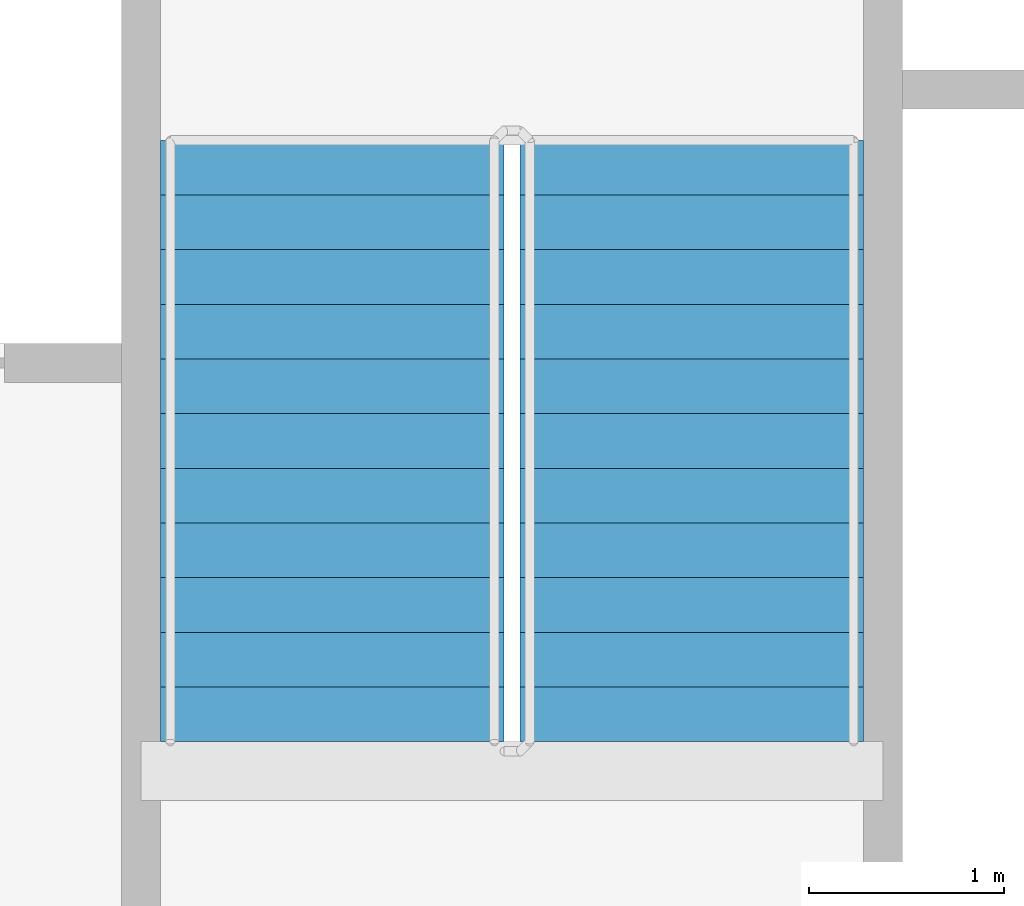
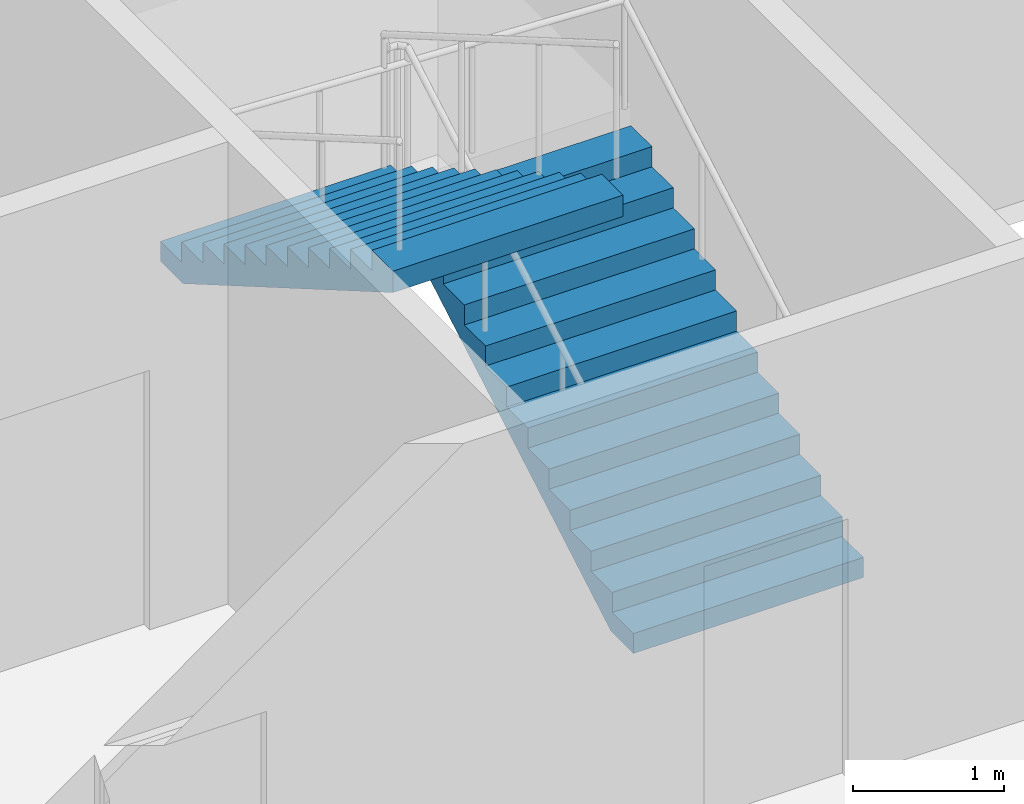
# One storey, part 15 of 20: 2 stair flights, 1 element without a shape of its own.
"""IFC4 building model written with IfcOpenShell, lengths in metres."""

import ifcopenshell
import ifcopenshell.guid

model = None  # the IFC model being written
_history = None  # IfcOwnerHistory: only IFC2X3 demands one
_inside = {}  # id of a spatial element -> (the spatial element, [elements in it])
_under = {}  # id of a project, library or spatial element -> (it, [spatial elements below it])
_declared = {}  # id of a project -> (the project, [libraries it declares])
_typed = {}  # id of a type object -> (the type object, [elements of that type])
_made_of = {}  # id of a material, layer set ... -> (it, [elements and type objects made of it])


def new_model(schema):
    """Start an empty IFC model of exactly this schema.

    Asked for "IFC4X3", IfcOpenShell would pick the latest addendum, in which some entities
    have other attributes; the version numbers below select the first issue.
    IFC2X3 requires an IfcOwnerHistory on every rooted entity: one is made here for all.
    """
    global model, _history
    if schema == "IFC4X3":
        model = ifcopenshell.file(schema_version=(4, 3, 0, 0))
    else:
        model = ifcopenshell.file(schema=schema)
    _inside.clear()
    _under.clear()
    _declared.clear()
    _typed.clear()
    _made_of.clear()
    _history = None
    if model.schema == "IFC2X3":
        org = make("IfcOrganization", Name="unknown")
        user = make(
            "IfcPersonAndOrganization",
            ThePerson=make("IfcPerson", FamilyName="unknown"),
            TheOrganization=org,
        )
        app = make(
            "IfcApplication",
            ApplicationDeveloper=org,
            Version="unknown",
            ApplicationFullName="unknown",
            ApplicationIdentifier="unknown",
        )
        _history = make(
            "IfcOwnerHistory",
            OwningUser=user,
            OwningApplication=app,
            ChangeAction="ADDED",
            CreationDate=0,
        )
    return model


def make(cls, **values):
    """One entity of the class cls with the attributes given. An attribute that is None is left unset."""
    return model.create_entity(
        cls, **{name: value for name, value in values.items() if value is not None}
    )


def rooted(cls, **values):
    """An entity with a GlobalId (a new one), such as an element, a storey or a relation."""
    return make(cls, GlobalId=ifcopenshell.guid.new(), OwnerHistory=_history, **values)


def si_unit(unit_type, name, prefix=None):
    """IfcSIUnit, for example si_unit("LENGTHUNIT", "METRE", prefix="MILLI")."""
    return make("IfcSIUnit", UnitType=unit_type, Prefix=prefix, Name=name)


def assignment(units):
    """IfcUnitAssignment: the units of a project."""
    return None if units is None else make("IfcUnitAssignment", Units=units)


def point(xyz):
    """IfcCartesianPoint."""
    return None if xyz is None else make("IfcCartesianPoint", Coordinates=xyz)


def direction(xyz):
    """IfcDirection."""
    return None if xyz is None else make("IfcDirection", DirectionRatios=xyz)


def frame(location, z_axis=None, x_axis=None):
    """IfcAxis2Placement3D, a coordinate frame: its origin and axes. An axis left out is left unset."""
    return make(
        "IfcAxis2Placement3D",
        Location=point(location),
        Axis=direction(z_axis),
        RefDirection=direction(x_axis),
    )


def origin():
    """The frame at (0, 0, 0) with its axes left unset."""
    return frame((0.0, 0.0, 0.0))


def place(relative_to, where):
    """IfcLocalPlacement: puts the frame where relative to a parent placement (None: the world)."""
    return make(
        "IfcLocalPlacement", PlacementRelTo=relative_to, RelativePlacement=where
    )


def context(
    kind, dimensions, precision=None, world=None, true_north=None, identifier=None
):
    """IfcGeometricRepresentationContext, for example the 3D "Model" context."""
    return make(
        "IfcGeometricRepresentationContext",
        ContextIdentifier=identifier,
        ContextType=kind,
        CoordinateSpaceDimension=dimensions,
        Precision=precision,
        WorldCoordinateSystem=world,
        TrueNorth=true_north,
    )


def subcontext(parent, identifier, kind, view, scale=None):
    """IfcGeometricRepresentationSubContext, for example "Body" below "Model"."""
    return make(
        "IfcGeometricRepresentationSubContext",
        ContextIdentifier=identifier,
        ContextType=kind,
        ParentContext=parent,
        TargetScale=scale,
        TargetView=view,
    )


def project(units=None, contexts=None):
    """IfcProject with its units and contexts."""
    return rooted(
        "IfcProject",
        Name="project",
        RepresentationContexts=contexts,
        UnitsInContext=assignment(units),
    )


def spatial(cls, under=None, at=None, **own):
    """A site, building, storey or space (cls), placed at a placement, below another one or the project."""
    s = rooted(cls, ObjectPlacement=at, **own)
    if under is not None:
        _under.setdefault(under.id(), (under, []))[1].append(s)
    return s


def faces_of(points, faces, orient=None, outer=None):
    """IfcFace entities. A face is a list of loops; a loop is a list of indices into points, from 0.

    orient and outer hold one flag for each loop. By default every Orientation is true, the
    first loop of a face is its IfcFaceOuterBound and the others are IfcFaceBound.
    """
    made = []
    for i, loops in enumerate(faces):
        bounds = []
        for j, loop in enumerate(loops):
            is_outer = j == 0 if outer is None else outer[i][j]
            bounds.append(
                make(
                    "IfcFaceOuterBound" if is_outer else "IfcFaceBound",
                    Bound=make("IfcPolyLoop", Polygon=[points[k] for k in loop]),
                    Orientation=True if orient is None else orient[i][j],
                )
            )
        made.append(make("IfcFace", Bounds=bounds))
    return made


def faceted_brep(points, faces, orient=None, outer=None, voids=None):
    """IfcFacetedBrep: a solid bounded by flat faces; with voids (closed shells), ...WithVoids."""
    shared = [point(p) for p in points]
    hull = make("IfcClosedShell", CfsFaces=faces_of(shared, faces, orient, outer))
    if voids is None:
        return make("IfcFacetedBrep", Outer=hull)
    return make(
        "IfcFacetedBrepWithVoids",
        Outer=hull,
        Voids=[
            make(cls, CfsFaces=faces_of(shared, fs, o, b)) for cls, fs, o, b in voids
        ],
    )


def shape(context_of_items, identifier, shape_type, items):
    """IfcShapeRepresentation: the items that make up one representation, for example the "Body"."""
    return make(
        "IfcShapeRepresentation",
        ContextOfItems=context_of_items,
        RepresentationIdentifier=identifier,
        RepresentationType=shape_type,
        Items=items,
    )


def material(Name=None, Category=None):
    """IfcMaterial."""
    return make("IfcMaterial", Name=Name, Category=Category)


def made_of(thing, what):
    """Note that an element or type object is made of a material, layer set ...; save() writes the relation."""
    if what is not None:
        _made_of.setdefault(what.id(), (what, []))[1].append(thing)
    return thing


def type_object(cls, material=None, **own):
    """A type object (cls), such as IfcWallType, which elements share."""
    return made_of(rooted(cls, **own), material)


def element(
    cls,
    number,
    at=None,
    inside=None,
    cuts=None,
    type_object=None,
    material=None,
    context=None,
    identifier="Body",
    shape_type=None,
    held_by="IfcProductDefinitionShape",
    body=None,
    shapes=None,
    **own,
):
    """One element of the class cls, such as IfcWall. Its Tag is "e" and its number.

    at: its placement. inside: the storey or other place that contains it. cuts: it is an
    opening in that element (IfcRelVoidsElement). A single representation is given by context,
    identifier, shape_type and body (its items); several are given by shapes. held_by: the class
    of the entity that holds the representations. save() writes the other relations.
    """
    e = rooted(cls, Tag="e%d" % number, ObjectPlacement=at, **own)
    if body is not None:
        shapes = [shape(context, identifier, shape_type, body)]
    if shapes is not None:
        e.Representation = make(held_by, Representations=shapes)
    if inside is not None:
        _inside.setdefault(inside.id(), (inside, []))[1].append(e)
    if cuts is not None:
        rooted(
            "IfcRelVoidsElement", RelatingBuildingElement=cuts, RelatedOpeningElement=e
        )
    if type_object is not None:
        _typed.setdefault(type_object.id(), (type_object, []))[1].append(e)
    return made_of(e, material)


def aggregate(whole, parts):
    """IfcRelAggregates: a whole, such as a stair, and the parts it consists of."""
    return rooted("IfcRelAggregates", RelatingObject=whole, RelatedObjects=parts)


def save(model, path):
    """Write the relations noted so far, then the file.

    IfcRelAggregates (storeys below a building ...), IfcRelContainedInSpatialStructure (elements
    in a storey), IfcRelDefinesByType, IfcRelAssociatesMaterial and IfcRelDeclares: one each for
    every whole, place, type object, material and project.
    """
    for whole, parts in _under.values():
        aggregate(whole, parts)
    for where, things in _inside.values():
        rooted(
            "IfcRelContainedInSpatialStructure",
            RelatedElements=things,
            RelatingStructure=where,
        )
    for kind, things in _typed.values():
        rooted("IfcRelDefinesByType", RelatedObjects=things, RelatingType=kind)
    for what, things in _made_of.values():
        rooted("IfcRelAssociatesMaterial", RelatedObjects=things, RelatingMaterial=what)
    for by, libraries in _declared.values():
        rooted("IfcRelDeclares", RelatingContext=by, RelatedDefinitions=libraries)
    model.write(path)


model = new_model("IFC4")

# Units and contexts
model_context = context("Model", 3, precision=1e-05, world=origin(), true_north=direction((0.0, 1.0)))
body_context = subcontext(model_context, "Body", "Model", "MODEL_VIEW")
ifc_project = project(units=[si_unit("LENGTHUNIT", "METRE"), si_unit("AREAUNIT", "SQUARE_METRE"), si_unit("VOLUMEUNIT", "CUBIC_METRE"), si_unit("PLANEANGLEUNIT", "RADIAN"), si_unit("MASSUNIT", "GRAM", prefix="KILO")], contexts=[model_context])

# Site, building, storey
site_placement = place(None, origin())
site = spatial("IfcSite", under=ifc_project, at=site_placement, CompositionType="ELEMENT")
building_placement = place(site_placement, origin())
building = spatial("IfcBuilding", under=site, at=building_placement, Name="Tarsis Ring Headquarters", CompositionType="ELEMENT")
storey_placement = place(building_placement, frame((0.0, 0.0, 294.199951171875)))
storey = spatial("IfcBuildingStorey", under=building, at=storey_placement, Name="L69", CompositionType="ELEMENT", Elevation=294.199951171875)

# Stair, stair flights
ifc_material_1 = material(Name="Core stair 1760")
stair_type = type_object("IfcStairType", Name="Core stair 1760", PredefinedType="HALF_TURN_STAIR", material=ifc_material_1)
stair_placement = place(storey_placement, origin())
stair = element("IfcStair", 1, at=stair_placement, inside=storey, type_object=stair_type, Name="L69 Exit stair B", PredefinedType="HALF_TURN_STAIR")
ifc_material_2 = material(Name="Concrete C40/50", Category="concrete")
stair_flight_type = type_object("IfcStairFlightType", Name="Core stair flight 1760", PredefinedType="STRAIGHT", material=ifc_material_2)
stair_flight_1_placement = place(storey_placement, frame((5.419921875, 3.659912109375, 0.0), z_axis=(0.0, 0.0, 1.0), x_axis=(0.0, 1.0, 0.0)))
stair_flight_1 = element("IfcStairFlight", 2, at=stair_flight_1_placement, type_object=stair_flight_type, Name="Stair ST2 flight 1", NumberOfRisers=12, NumberOfTreads=11, PredefinedType="STRAIGHT", RiserHeight=0.1625, TreadLength=0.28, context=body_context, shape_type="Brep", body=[
    faceted_brep([(0.0, 0.8798828125, 0.0), (0.0, 0.8798828125, 0.16259765625), (0.280029296875, 0.8798828125, 0.16259765625), (0.280029296875, 0.8798828125, 0.324951171875), (0.56005859375, 0.8798828125, 0.324951171875), (0.56005859375, 0.8798828125, 0.487548828125), (0.840087890625, 0.8798828125, 0.487548828125), (0.840087890625, 0.8798828125, 0.64990234375), (1.1201171875, 0.8798828125, 0.64990234375), (1.1201171875, 0.8798828125, 0.8125), (1.39990234375, 0.8798828125, 0.8125), (1.39990234375, 0.8798828125, 0.97509765625), (1.679931640625, 0.8798828125, 0.97509765625), (1.679931640625, 0.8798828125, 1.137451171875), (1.9599609375, 0.8798828125, 1.137451171875), (1.9599609375, 0.8798828125, 1.300048828125), (2.239990234375, 0.8798828125, 1.300048828125), (2.239990234375, 0.8798828125, 1.46240234375), (2.52001953125, 0.8798828125, 1.46240234375), (2.52001953125, 0.8798828125, 1.625), (2.800048828125, 0.8798828125, 1.625), (2.800048828125, 0.8798828125, 1.78759765625), (3.080078125, 0.8798828125, 1.78759765625), (3.080078125, 0.8798828125, 1.6142578125), (0.298583984375, 0.8798828125, 0.0), (0.298583984375, -0.8798828125, 0.0), (3.080078125, -0.8798828125, 1.6142578125), (3.080078125, -0.8798828125, 1.78759765625), (2.800048828125, -0.8798828125, 1.78759765625), (2.800048828125, -0.8798828125, 1.625), (2.52001953125, -0.8798828125, 1.625), (2.52001953125, -0.8798828125, 1.46240234375), (2.239990234375, -0.8798828125, 1.46240234375), (2.239990234375, -0.8798828125, 1.300048828125), (1.9599609375, -0.8798828125, 1.300048828125), (1.9599609375, -0.8798828125, 1.137451171875), (1.679931640625, -0.8798828125, 1.137451171875), (1.679931640625, -0.8798828125, 0.97509765625), (1.39990234375, -0.8798828125, 0.97509765625), (1.39990234375, -0.8798828125, 0.8125), (1.1201171875, -0.8798828125, 0.8125), (1.1201171875, -0.8798828125, 0.64990234375), (0.840087890625, -0.8798828125, 0.64990234375), (0.840087890625, -0.8798828125, 0.487548828125), (0.56005859375, -0.8798828125, 0.487548828125), (0.56005859375, -0.8798828125, 0.324951171875), (0.280029296875, -0.8798828125, 0.324951171875), (0.280029296875, -0.8798828125, 0.16259765625), (0.0, -0.8798828125, 0.16259765625), (0.0, -0.8798828125, 0.0), (0.0, -0.43994140625, 0.16259765625), (0.0, -0.43994140625, 0.0), (0.0, 0.0, 0.16259765625), (0.0, 0.0, 0.0), (0.0, 0.43994140625, 0.16259765625), (0.0, 0.43994140625, 0.0), (0.280029296875, -0.43994140625, 0.16259765625), (0.280029296875, 0.0, 0.16259765625), (0.280029296875, 0.43994140625, 0.16259765625), (0.280029296875, -0.43994140625, 0.324951171875), (0.280029296875, 0.0, 0.324951171875), (0.280029296875, 0.43994140625, 0.324951171875), (0.56005859375, -0.43994140625, 0.324951171875), (0.56005859375, 0.0, 0.324951171875), (0.56005859375, 0.43994140625, 0.324951171875), (0.56005859375, -0.43994140625, 0.487548828125), (0.56005859375, 0.0, 0.487548828125), (0.56005859375, 0.43994140625, 0.487548828125), (0.840087890625, -0.43994140625, 0.487548828125), (0.840087890625, 0.0, 0.487548828125), (0.840087890625, 0.43994140625, 0.487548828125), (0.840087890625, -0.43994140625, 0.64990234375), (0.840087890625, 0.0, 0.64990234375), (0.840087890625, 0.43994140625, 0.64990234375), (1.1201171875, -0.43994140625, 0.64990234375), (1.1201171875, 0.0, 0.64990234375), (1.1201171875, 0.43994140625, 0.64990234375), (1.1201171875, -0.43994140625, 0.8125), (1.1201171875, 0.0, 0.8125), (1.1201171875, 0.43994140625, 0.8125), (1.39990234375, -0.43994140625, 0.8125), (1.39990234375, 0.0, 0.8125), (1.39990234375, 0.43994140625, 0.8125), (1.39990234375, -0.43994140625, 0.97509765625), (1.39990234375, 0.0, 0.97509765625), (1.39990234375, 0.43994140625, 0.97509765625), (1.679931640625, -0.43994140625, 0.97509765625), (1.679931640625, 0.0, 0.97509765625), (1.679931640625, 0.43994140625, 0.97509765625), (1.679931640625, -0.43994140625, 1.137451171875), (1.679931640625, 0.0, 1.137451171875), (1.679931640625, 0.43994140625, 1.137451171875), (1.9599609375, -0.43994140625, 1.137451171875), (1.9599609375, 0.0, 1.137451171875), (1.9599609375, 0.43994140625, 1.137451171875), (1.9599609375, -0.43994140625, 1.300048828125), (1.9599609375, 0.0, 1.300048828125), (1.9599609375, 0.43994140625, 1.300048828125), (2.239990234375, -0.43994140625, 1.300048828125), (2.239990234375, 0.0, 1.300048828125), (2.239990234375, 0.43994140625, 1.300048828125), (2.239990234375, -0.43994140625, 1.46240234375), (2.239990234375, 0.0, 1.46240234375), (2.239990234375, 0.43994140625, 1.46240234375), (2.52001953125, -0.43994140625, 1.46240234375), (2.52001953125, 0.0, 1.46240234375), (2.52001953125, 0.43994140625, 1.46240234375), (2.52001953125, -0.43994140625, 1.625), (2.52001953125, 0.0, 1.625), (2.52001953125, 0.43994140625, 1.625), (2.800048828125, -0.43994140625, 1.625), (2.800048828125, 0.0, 1.625), (2.800048828125, 0.43994140625, 1.625), (2.800048828125, -0.43994140625, 1.78759765625), (2.800048828125, 0.0, 1.78759765625), (2.800048828125, 0.43994140625, 1.78759765625), (3.080078125, -0.43994140625, 1.78759765625), (3.080078125, 0.0, 1.78759765625), (3.080078125, 0.43994140625, 1.78759765625), (3.080078125, -0.43994140625, 1.6142578125), (3.080078125, 0.0, 1.6142578125), (3.080078125, 0.43994140625, 1.6142578125), (0.298583984375, -0.43994140625, 0.0), (0.298583984375, 0.0, 0.0), (0.298583984375, 0.43994140625, 0.0)], [[[0, 1, 2, 3, 4, 5, 6, 7, 8, 9, 10, 11, 12, 13, 14, 15, 16, 17, 18, 19, 20, 21, 22, 23, 24]], [[25, 26, 27, 28, 29, 30, 31, 32, 33, 34, 35, 36, 37, 38, 39, 40, 41, 42, 43, 44, 45, 46, 47, 48, 49]], [[49, 48, 50, 51]], [[51, 50, 52, 53]], [[53, 52, 54, 55]], [[55, 54, 1, 0]], [[48, 47, 56, 50]], [[50, 56, 57, 52]], [[52, 57, 58, 54]], [[54, 58, 2, 1]], [[47, 46, 59, 56]], [[56, 59, 60, 57]], [[57, 60, 61, 58]], [[58, 61, 3, 2]], [[46, 45, 62, 59]], [[59, 62, 63, 60]], [[60, 63, 64, 61]], [[61, 64, 4, 3]], [[45, 44, 65, 62]], [[62, 65, 66, 63]], [[63, 66, 67, 64]], [[64, 67, 5, 4]], [[44, 43, 68, 65]], [[65, 68, 69, 66]], [[66, 69, 70, 67]], [[67, 70, 6, 5]], [[43, 42, 71, 68]], [[68, 71, 72, 69]], [[69, 72, 73, 70]], [[70, 73, 7, 6]], [[42, 41, 74, 71]], [[71, 74, 75, 72]], [[72, 75, 76, 73]], [[73, 76, 8, 7]], [[41, 40, 77, 74]], [[74, 77, 78, 75]], [[75, 78, 79, 76]], [[76, 79, 9, 8]], [[40, 39, 80, 77]], [[77, 80, 81, 78]], [[78, 81, 82, 79]], [[79, 82, 10, 9]], [[39, 38, 83, 80]], [[80, 83, 84, 81]], [[81, 84, 85, 82]], [[82, 85, 11, 10]], [[38, 37, 86, 83]], [[83, 86, 87, 84]], [[84, 87, 88, 85]], [[85, 88, 12, 11]], [[37, 36, 89, 86]], [[86, 89, 90, 87]], [[87, 90, 91, 88]], [[88, 91, 13, 12]], [[36, 35, 92, 89]], [[89, 92, 93, 90]], [[90, 93, 94, 91]], [[91, 94, 14, 13]], [[35, 34, 95, 92]], [[92, 95, 96, 93]], [[93, 96, 97, 94]], [[94, 97, 15, 14]], [[34, 33, 98, 95]], [[95, 98, 99, 96]], [[96, 99, 100, 97]], [[97, 100, 16, 15]], [[33, 32, 101, 98]], [[98, 101, 102, 99]], [[99, 102, 103, 100]], [[100, 103, 17, 16]], [[32, 31, 104, 101]], [[101, 104, 105, 102]], [[102, 105, 106, 103]], [[103, 106, 18, 17]], [[31, 30, 107, 104]], [[104, 107, 108, 105]], [[105, 108, 109, 106]], [[106, 109, 19, 18]], [[30, 29, 110, 107]], [[107, 110, 111, 108]], [[108, 111, 112, 109]], [[109, 112, 20, 19]], [[29, 28, 113, 110]], [[110, 113, 114, 111]], [[111, 114, 115, 112]], [[112, 115, 21, 20]], [[28, 27, 116, 113]], [[113, 116, 117, 114]], [[114, 117, 118, 115]], [[115, 118, 22, 21]], [[27, 26, 119, 116]], [[116, 119, 120, 117]], [[117, 120, 121, 118]], [[118, 121, 23, 22]], [[26, 25, 122, 119]], [[119, 122, 123, 120]], [[120, 123, 124, 121]], [[121, 124, 24, 23]], [[25, 49, 51, 122]], [[122, 51, 53, 123]], [[123, 53, 55, 124]], [[124, 55, 0, 24]]]),
])
stair_flight_2_placement = place(storey_placement, frame((3.580078125, 6.739990234375, 1.949951171875), z_axis=(0.0, 0.0, 1.0), x_axis=(0.0, -1.0, 0.0)))
stair_flight_2 = element("IfcStairFlight", 3, at=stair_flight_2_placement, type_object=stair_flight_type, Name="Stair ST2 flight 2", NumberOfRisers=12, NumberOfTreads=11, PredefinedType="STRAIGHT", RiserHeight=0.1625, TreadLength=0.28, context=body_context, shape_type="Brep", body=[
    faceted_brep([(0.0, 0.8798828125, 0.0), (0.0, 0.8798828125, 0.16259765625), (0.280029296875, 0.8798828125, 0.16259765625), (0.280029296875, 0.8798828125, 0.324951171875), (0.56005859375, 0.8798828125, 0.324951171875), (0.56005859375, 0.8798828125, 0.487548828125), (0.840087890625, 0.8798828125, 0.487548828125), (0.840087890625, 0.8798828125, 0.64990234375), (1.1201171875, 0.8798828125, 0.64990234375), (1.1201171875, 0.8798828125, 0.8125), (1.39990234375, 0.8798828125, 0.8125), (1.39990234375, 0.8798828125, 0.97509765625), (1.679931640625, 0.8798828125, 0.97509765625), (1.679931640625, 0.8798828125, 1.137451171875), (1.9599609375, 0.8798828125, 1.137451171875), (1.9599609375, 0.8798828125, 1.300048828125), (2.239990234375, 0.8798828125, 1.300048828125), (2.239990234375, 0.8798828125, 1.46240234375), (2.52001953125, 0.8798828125, 1.46240234375), (2.52001953125, 0.8798828125, 1.625), (2.800048828125, 0.8798828125, 1.625), (2.800048828125, 0.8798828125, 1.78759765625), (3.080078125, 0.8798828125, 1.78759765625), (3.080078125, 0.8798828125, 1.6142578125), (0.298583984375, 0.8798828125, 0.0), (0.298583984375, -0.8798828125, 0.0), (3.080078125, -0.8798828125, 1.6142578125), (3.080078125, -0.8798828125, 1.78759765625), (2.800048828125, -0.8798828125, 1.78759765625), (2.800048828125, -0.8798828125, 1.625), (2.52001953125, -0.8798828125, 1.625), (2.52001953125, -0.8798828125, 1.46240234375), (2.239990234375, -0.8798828125, 1.46240234375), (2.239990234375, -0.8798828125, 1.300048828125), (1.9599609375, -0.8798828125, 1.300048828125), (1.9599609375, -0.8798828125, 1.137451171875), (1.679931640625, -0.8798828125, 1.137451171875), (1.679931640625, -0.8798828125, 0.97509765625), (1.39990234375, -0.8798828125, 0.97509765625), (1.39990234375, -0.8798828125, 0.8125), (1.1201171875, -0.8798828125, 0.8125), (1.1201171875, -0.8798828125, 0.64990234375), (0.840087890625, -0.8798828125, 0.64990234375), (0.840087890625, -0.8798828125, 0.487548828125), (0.56005859375, -0.8798828125, 0.487548828125), (0.56005859375, -0.8798828125, 0.324951171875), (0.280029296875, -0.8798828125, 0.324951171875), (0.280029296875, -0.8798828125, 0.16259765625), (0.0, -0.8798828125, 0.16259765625), (0.0, -0.8798828125, 0.0), (0.0, -0.43994140625, 0.16259765625), (0.0, -0.43994140625, 0.0), (0.0, 0.0, 0.16259765625), (0.0, 0.0, 0.0), (0.0, 0.43994140625, 0.16259765625), (0.0, 0.43994140625, 0.0), (0.280029296875, -0.43994140625, 0.16259765625), (0.280029296875, 0.0, 0.16259765625), (0.280029296875, 0.43994140625, 0.16259765625), (0.280029296875, -0.43994140625, 0.324951171875), (0.280029296875, 0.0, 0.324951171875), (0.280029296875, 0.43994140625, 0.324951171875), (0.56005859375, -0.43994140625, 0.324951171875), (0.56005859375, 0.0, 0.324951171875), (0.56005859375, 0.43994140625, 0.324951171875), (0.56005859375, -0.43994140625, 0.487548828125), (0.56005859375, 0.0, 0.487548828125), (0.56005859375, 0.43994140625, 0.487548828125), (0.840087890625, -0.43994140625, 0.487548828125), (0.840087890625, 0.0, 0.487548828125), (0.840087890625, 0.43994140625, 0.487548828125), (0.840087890625, -0.43994140625, 0.64990234375), (0.840087890625, 0.0, 0.64990234375), (0.840087890625, 0.43994140625, 0.64990234375), (1.1201171875, -0.43994140625, 0.64990234375), (1.1201171875, 0.0, 0.64990234375), (1.1201171875, 0.43994140625, 0.64990234375), (1.1201171875, -0.43994140625, 0.8125), (1.1201171875, 0.0, 0.8125), (1.1201171875, 0.43994140625, 0.8125), (1.39990234375, -0.43994140625, 0.8125), (1.39990234375, 0.0, 0.8125), (1.39990234375, 0.43994140625, 0.8125), (1.39990234375, -0.43994140625, 0.97509765625), (1.39990234375, 0.0, 0.97509765625), (1.39990234375, 0.43994140625, 0.97509765625), (1.679931640625, -0.43994140625, 0.97509765625), (1.679931640625, 0.0, 0.97509765625), (1.679931640625, 0.43994140625, 0.97509765625), (1.679931640625, -0.43994140625, 1.137451171875), (1.679931640625, 0.0, 1.137451171875), (1.679931640625, 0.43994140625, 1.137451171875), (1.9599609375, -0.43994140625, 1.137451171875), (1.9599609375, 0.0, 1.137451171875), (1.9599609375, 0.43994140625, 1.137451171875), (1.9599609375, -0.43994140625, 1.300048828125), (1.9599609375, 0.0, 1.300048828125), (1.9599609375, 0.43994140625, 1.300048828125), (2.239990234375, -0.43994140625, 1.300048828125), (2.239990234375, 0.0, 1.300048828125), (2.239990234375, 0.43994140625, 1.300048828125), (2.239990234375, -0.43994140625, 1.46240234375), (2.239990234375, 0.0, 1.46240234375), (2.239990234375, 0.43994140625, 1.46240234375), (2.52001953125, -0.43994140625, 1.46240234375), (2.52001953125, 0.0, 1.46240234375), (2.52001953125, 0.43994140625, 1.46240234375), (2.52001953125, -0.43994140625, 1.625), (2.52001953125, 0.0, 1.625), (2.52001953125, 0.43994140625, 1.625), (2.800048828125, -0.43994140625, 1.625), (2.800048828125, 0.0, 1.625), (2.800048828125, 0.43994140625, 1.625), (2.800048828125, -0.43994140625, 1.78759765625), (2.800048828125, 0.0, 1.78759765625), (2.800048828125, 0.43994140625, 1.78759765625), (3.080078125, -0.43994140625, 1.78759765625), (3.080078125, 0.0, 1.78759765625), (3.080078125, 0.43994140625, 1.78759765625), (3.080078125, -0.43994140625, 1.6142578125), (3.080078125, 0.0, 1.6142578125), (3.080078125, 0.43994140625, 1.6142578125), (0.298583984375, -0.43994140625, 0.0), (0.298583984375, 0.0, 0.0), (0.298583984375, 0.43994140625, 0.0)], [[[0, 1, 2, 3, 4, 5, 6, 7, 8, 9, 10, 11, 12, 13, 14, 15, 16, 17, 18, 19, 20, 21, 22, 23, 24]], [[25, 26, 27, 28, 29, 30, 31, 32, 33, 34, 35, 36, 37, 38, 39, 40, 41, 42, 43, 44, 45, 46, 47, 48, 49]], [[49, 48, 50, 51]], [[51, 50, 52, 53]], [[53, 52, 54, 55]], [[55, 54, 1, 0]], [[48, 47, 56, 50]], [[50, 56, 57, 52]], [[52, 57, 58, 54]], [[54, 58, 2, 1]], [[47, 46, 59, 56]], [[56, 59, 60, 57]], [[57, 60, 61, 58]], [[58, 61, 3, 2]], [[46, 45, 62, 59]], [[59, 62, 63, 60]], [[60, 63, 64, 61]], [[61, 64, 4, 3]], [[45, 44, 65, 62]], [[62, 65, 66, 63]], [[63, 66, 67, 64]], [[64, 67, 5, 4]], [[44, 43, 68, 65]], [[65, 68, 69, 66]], [[66, 69, 70, 67]], [[67, 70, 6, 5]], [[43, 42, 71, 68]], [[68, 71, 72, 69]], [[69, 72, 73, 70]], [[70, 73, 7, 6]], [[42, 41, 74, 71]], [[71, 74, 75, 72]], [[72, 75, 76, 73]], [[73, 76, 8, 7]], [[41, 40, 77, 74]], [[74, 77, 78, 75]], [[75, 78, 79, 76]], [[76, 79, 9, 8]], [[40, 39, 80, 77]], [[77, 80, 81, 78]], [[78, 81, 82, 79]], [[79, 82, 10, 9]], [[39, 38, 83, 80]], [[80, 83, 84, 81]], [[81, 84, 85, 82]], [[82, 85, 11, 10]], [[38, 37, 86, 83]], [[83, 86, 87, 84]], [[84, 87, 88, 85]], [[85, 88, 12, 11]], [[37, 36, 89, 86]], [[86, 89, 90, 87]], [[87, 90, 91, 88]], [[88, 91, 13, 12]], [[36, 35, 92, 89]], [[89, 92, 93, 90]], [[90, 93, 94, 91]], [[91, 94, 14, 13]], [[35, 34, 95, 92]], [[92, 95, 96, 93]], [[93, 96, 97, 94]], [[94, 97, 15, 14]], [[34, 33, 98, 95]], [[95, 98, 99, 96]], [[96, 99, 100, 97]], [[97, 100, 16, 15]], [[33, 32, 101, 98]], [[98, 101, 102, 99]], [[99, 102, 103, 100]], [[100, 103, 17, 16]], [[32, 31, 104, 101]], [[101, 104, 105, 102]], [[102, 105, 106, 103]], [[103, 106, 18, 17]], [[31, 30, 107, 104]], [[104, 107, 108, 105]], [[105, 108, 109, 106]], [[106, 109, 19, 18]], [[30, 29, 110, 107]], [[107, 110, 111, 108]], [[108, 111, 112, 109]], [[109, 112, 20, 19]], [[29, 28, 113, 110]], [[110, 113, 114, 111]], [[111, 114, 115, 112]], [[112, 115, 21, 20]], [[28, 27, 116, 113]], [[113, 116, 117, 114]], [[114, 117, 118, 115]], [[115, 118, 22, 21]], [[27, 26, 119, 116]], [[116, 119, 120, 117]], [[117, 120, 121, 118]], [[118, 121, 23, 22]], [[26, 25, 122, 119]], [[119, 122, 123, 120]], [[120, 123, 124, 121]], [[121, 124, 24, 23]], [[25, 49, 51, 122]], [[122, 51, 53, 123]], [[123, 53, 55, 124]], [[124, 55, 0, 24]]]),
])
aggregate(stair, [stair_flight_1, stair_flight_2])

save(model, "model.ifc")
